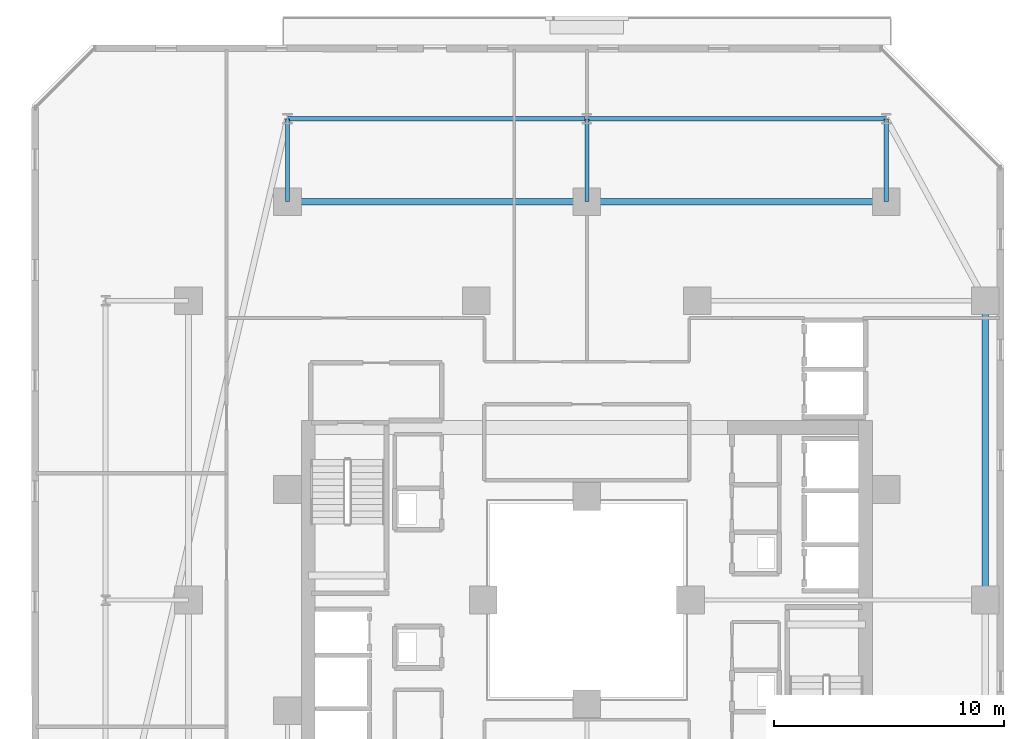
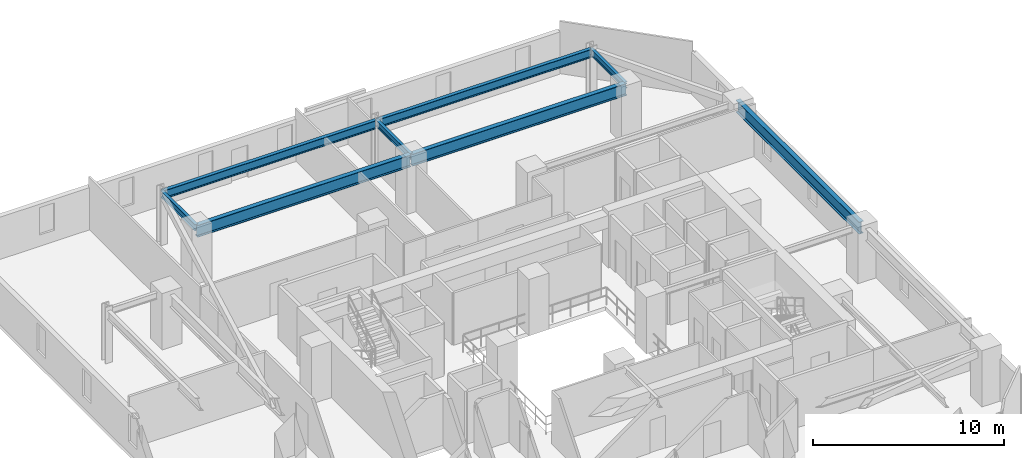
# One storey, part 13 of 31: 8 beams.
"""IFC4 building model written with IfcOpenShell, lengths in metres."""

from ifc_helpers import new_model, si_unit, direction, frame, origin, origin_2d, place, context, subcontext, project, spatial, i_section, extrude, material, material_profile, profile_set, type_object, element, save


model = new_model("IFC4")

# Units and contexts
model_context = context("Model", 3, precision=1e-05, world=origin(), true_north=direction((0.0, 1.0)))
body_context = subcontext(model_context, "Body", "Model", "MODEL_VIEW")
ifc_project = project(units=[si_unit("LENGTHUNIT", "METRE"), si_unit("AREAUNIT", "SQUARE_METRE"), si_unit("VOLUMEUNIT", "CUBIC_METRE"), si_unit("PLANEANGLEUNIT", "RADIAN"), si_unit("MASSUNIT", "GRAM", prefix="KILO")], contexts=[model_context])

# Site, building, storey
site_placement = place(None, origin())
site = spatial("IfcSite", under=ifc_project, at=site_placement, CompositionType="ELEMENT")
building_placement = place(site_placement, origin())
building = spatial("IfcBuilding", under=site, at=building_placement, Name="Thornwick Lancets Civic Towers", CompositionType="ELEMENT")
storey_placement = place(building_placement, frame((0.0, 0.0, 87.300048828125)))
storey = spatial("IfcBuildingStorey", under=building, at=storey_placement, Name="L22", CompositionType="ELEMENT", Elevation=87.300048828125)

# Beams
ifc_material = material(Name="Steel S355JR", Category="steel")
ifc_material_profile_1 = material_profile(ifc_material, i_section(OverallWidth=0.2119140625, OverallDepth=0.54443359375, WebThickness=0.0126953125, FlangeThickness=0.021240234375, FilletRadius=0.0126953125, at=origin_2d()), Name="UKB 533x210x122")
ifc_profile_set_1 = profile_set([ifc_material_profile_1], Name="Steel S355JR")
beam_type_1 = type_object("IfcBeamType", Name="BM_EDGE_533_122", PredefinedType="SPANDREL", material=ifc_profile_set_1)
beam_1_placement = place(storey_placement, frame((101.5, 47.89990234375, 3.087646484375), z_axis=(-1.0, 0.0, 0.0), x_axis=(0.0, -1.0, 0.0)))
element("IfcBeam", 1, at=beam_1_placement, inside=storey, type_object=beam_type_1, Name="BM-EDGE-L22-B-S1-1", PredefinedType="SPANDREL", context=body_context, shape_type="SweptSolid", body=[
    extrude(i_section(OverallWidth=0.2119140625, OverallDepth=0.54443359375, WebThickness=0.0126953125, FlangeThickness=0.021240234375, FilletRadius=0.0126953125, at=origin_2d()), origin(), (0.0, 0.0, 1.0), 13.0),
])
beam_2_placement = place(storey_placement, frame((88.419921875, 47.89990234375, 3.087646484375), z_axis=(-1.0, 0.0, 0.0), x_axis=(0.0, -1.0, 0.0)))
element("IfcBeam", 2, at=beam_2_placement, inside=storey, type_object=beam_type_1, Name="BM-EDGE-L22-B-S1-2", PredefinedType="SPANDREL", context=body_context, shape_type="SweptSolid", body=[
    extrude(i_section(OverallWidth=0.2119140625, OverallDepth=0.54443359375, WebThickness=0.0126953125, FlangeThickness=0.021240234375, FilletRadius=0.0126953125, at=origin_2d()), origin(), (0.0, 0.0, 1.0), 12.919921875),
])
ifc_material_profile_2 = material_profile(ifc_material, i_section(OverallWidth=0.26806640625, OverallDepth=0.769775390625, WebThickness=0.015625, FlangeThickness=0.025390625, FilletRadius=0.0166015625, at=origin_2d()), Name="UKB 762x267x197")
ifc_profile_set_2 = profile_set([ifc_material_profile_2], Name="Steel S355JR")
beam_type_2 = type_object("IfcBeamType", Name="BM_GIRD_762_197", PredefinedType="BEAM", material=ifc_profile_set_2)
beam_3_placement = place(storey_placement, frame((105.800048828125, 27.080078125, 2.97509765625), z_axis=(0.0, 1.0, 0.0), x_axis=(-1.0, 0.0, 0.0)))
element("IfcBeam", 3, at=beam_3_placement, inside=storey, type_object=beam_type_2, Name="BM-SPINE-L22-B-1-2", PredefinedType="BEAM", context=body_context, shape_type="SweptSolid", body=[
    extrude(i_section(OverallWidth=0.26806640625, OverallDepth=0.769775390625, WebThickness=0.015625, FlangeThickness=0.025390625, FilletRadius=0.0166015625, at=origin_2d()), origin(), (0.0, 0.0, 1.0), 12.919921875),
])
beam_4_placement = place(storey_placement, frame((101.5, 44.300048828125, 2.97509765625), z_axis=(-1.0, 0.0, 0.0), x_axis=(0.0, -1.0, 0.0)))
element("IfcBeam", 4, at=beam_4_placement, inside=storey, type_object=beam_type_2, Name="BM-SPINE-L22-B-3-4", PredefinedType="BEAM", context=body_context, shape_type="SweptSolid", body=[
    extrude(i_section(OverallWidth=0.26806640625, OverallDepth=0.769775390625, WebThickness=0.015625, FlangeThickness=0.025390625, FilletRadius=0.0166015625, at=origin_2d()), origin(), (0.0, 0.0, 1.0), 13.0),
])
beam_5_placement = place(storey_placement, frame((88.419921875, 44.300048828125, 2.97509765625), z_axis=(-1.0, 0.0, 0.0), x_axis=(0.0, -1.0, 0.0)))
element("IfcBeam", 5, at=beam_5_placement, inside=storey, type_object=beam_type_2, Name="BM-SPINE-L22-B-4-5", PredefinedType="BEAM", context=body_context, shape_type="SweptSolid", body=[
    extrude(i_section(OverallWidth=0.26806640625, OverallDepth=0.769775390625, WebThickness=0.015625, FlangeThickness=0.025390625, FilletRadius=0.0166015625, at=origin_2d()), origin(), (0.0, 0.0, 1.0), 12.919921875),
])
ifc_material_profile_3 = material_profile(ifc_material, i_section(OverallWidth=0.179443359375, OverallDepth=0.412841796875, WebThickness=0.009521484375, FlangeThickness=0.01611328125, FilletRadius=0.01025390625, at=origin_2d()), Name="UKB 406x178x74")
ifc_profile_set_3 = profile_set([ifc_material_profile_3], Name="Steel S355JR")
beam_type_3 = type_object("IfcBeamType", Name="BM_JOIST_406_74", PredefinedType="JOIST", material=ifc_profile_set_3)
for number, where, z_axis, x_axis, name in (
    (6, (101.5, 44.300048828125, 3.153564453125), (0.0, 1.0, 0.0), (-1.0, 0.0, 0.0), "BM-RAD-L22-B04"),
    (7, (88.5, 44.300048828125, 3.153564453125), (0.0, 1.0, 0.0), (-1.0, 0.0, 0.0), "BM-RAD-L22-B05"),
    (8, (75.5, 44.300048828125, 3.153564453125), (0.0, 1.0, 0.0), (-1.0, 0.0, 0.0), "BM-RAD-L22-B06"),
):
    element("IfcBeam", number, at=place(storey_placement, frame(where, z_axis=z_axis, x_axis=x_axis)), inside=storey, type_object=beam_type_3, Name=name, PredefinedType="JOIST", context=body_context, shape_type="SweptSolid", body=[
        extrude(i_section(OverallWidth=0.179443359375, OverallDepth=0.412841796875, WebThickness=0.009521484375, FlangeThickness=0.01611328125, FilletRadius=0.01025390625, at=origin_2d()), origin(), (0.0, 0.0, 1.0), 3.599853515625),
    ])

save(model, "model.ifc")
